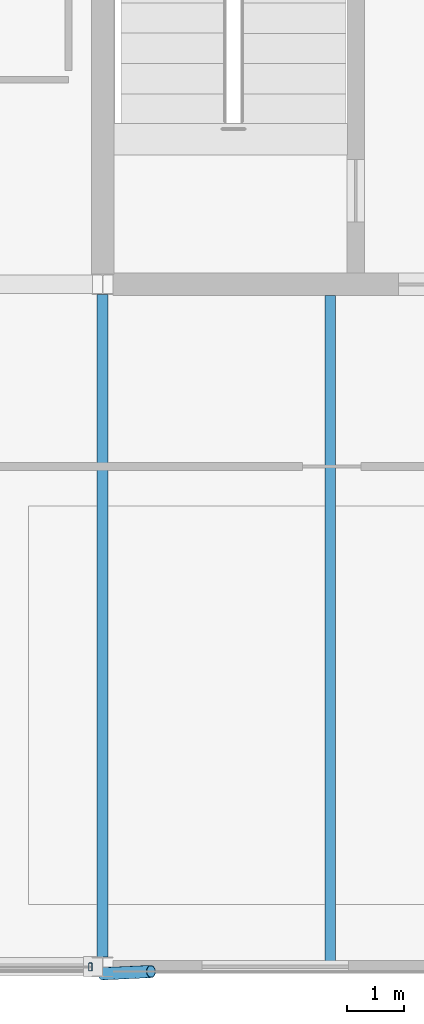
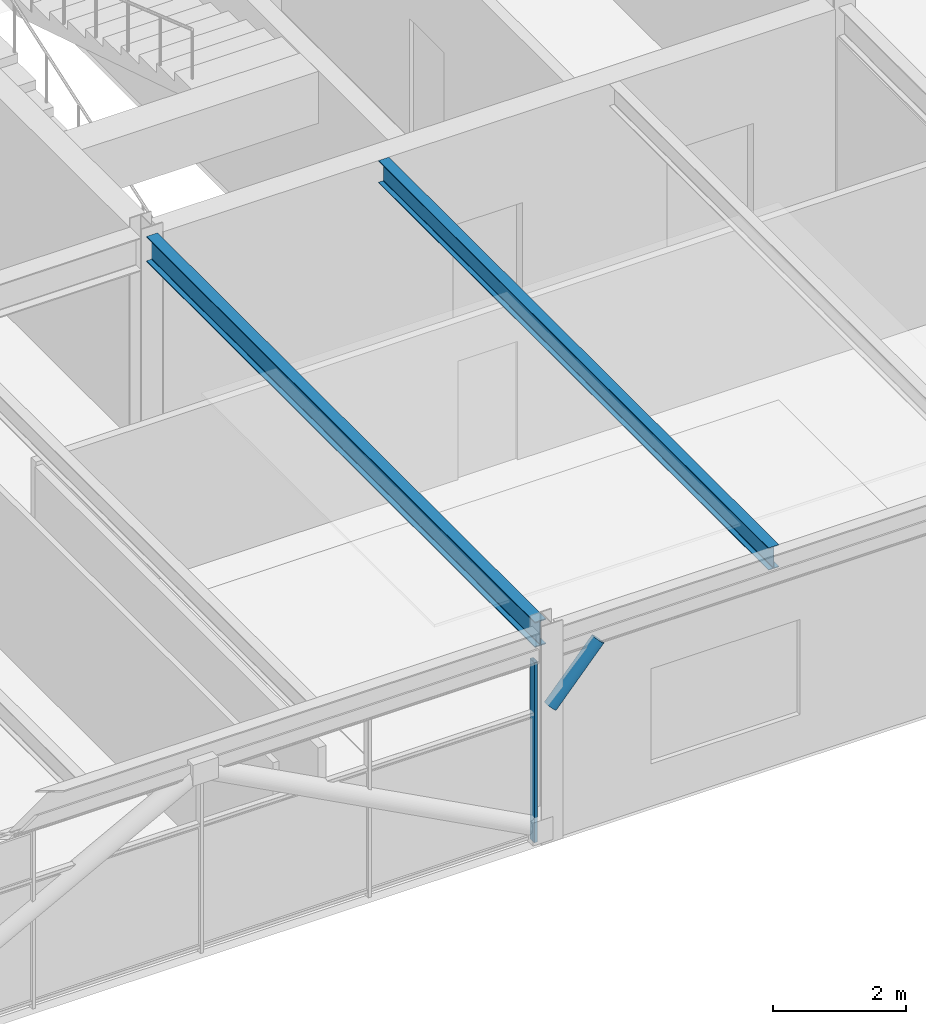
# One storey, part 23 of 32: 2 beams, 2 members, 1 element without a shape of its own.
"""IFC4 building model written with IfcOpenShell, lengths in metres."""

from ifc_helpers import new_model, si_unit, direction, frame, origin, origin_2d, place, context, subcontext, project, spatial, hollow_rectangle, hollow_circle, i_section, extrude, material, material_profile, profile_set, type_object, element, aggregate, save


model = new_model("IFC4")

# Units and contexts
model_context = context("Model", 3, precision=1e-05, world=origin(), true_north=direction((0.0, 1.0)))
body_context = subcontext(model_context, "Body", "Model", "MODEL_VIEW")
ifc_project = project(units=[si_unit("LENGTHUNIT", "METRE"), si_unit("AREAUNIT", "SQUARE_METRE"), si_unit("VOLUMEUNIT", "CUBIC_METRE"), si_unit("PLANEANGLEUNIT", "RADIAN"), si_unit("MASSUNIT", "GRAM", prefix="KILO")], contexts=[model_context])

# Site, building, storey
site_placement = place(None, origin())
site = spatial("IfcSite", under=ifc_project, at=site_placement, CompositionType="ELEMENT")
building_placement = place(site_placement, origin())
building = spatial("IfcBuilding", under=site, at=building_placement, Name="Girod Span Mobility Hub", CompositionType="ELEMENT")
storey_placement = place(building_placement, frame((0.0, 0.0, 61.60009765625)))
storey = spatial("IfcBuildingStorey", under=building, at=storey_placement, Name="L15", CompositionType="ELEMENT", Elevation=61.60009765625)

# Beams
ifc_material_1 = material(Name="Steel A992 Grade 50", Category="steel")
ifc_material_profile_1 = material_profile(ifc_material_1, i_section(OverallWidth=0.178955078125, OverallDepth=0.409912109375, WebThickness=0.0087890625, FlangeThickness=0.014404296875, FilletRadius=0.012939453125, at=origin_2d()), Name="W16X45")
ifc_profile_set_1 = profile_set([ifc_material_profile_1], Name="Steel A992 Grade 50")
beam_type_1 = type_object("IfcBeamType", Name="BM-STL-W16X45", PredefinedType="BEAM", material=ifc_profile_set_1)
beam_1_placement = place(storey_placement, frame((112.0, 45.10302734375, 3.635009765625), z_axis=(0.0, 1.0, 0.0), x_axis=(-1.0, 0.0, 0.0)))
element("IfcBeam", 1, at=beam_1_placement, inside=storey, type_object=beam_type_1, Name="Composite Floorbeam 10/D-1 L15", PredefinedType="BEAM", context=body_context, shape_type="SweptSolid", body=[
    extrude(i_section(OverallWidth=0.178955078125, OverallDepth=0.409912109375, WebThickness=0.0087890625, FlangeThickness=0.014404296875, FilletRadius=0.012939453125, at=origin_2d()), origin(), (0.0, 0.0, 1.0), 11.699951171875),
])
ifc_material_2 = material(Name="Steel A992 Grade 50", Category="steel")
ifc_material_profile_2 = material_profile(ifc_material_2, i_section(OverallWidth=0.19189453125, OverallDepth=0.462890625, WebThickness=0.010498046875, FlangeThickness=0.017578125, FilletRadius=0.013916015625, at=origin_2d()), Name="W18X60")
ifc_profile_set_2 = profile_set([ifc_material_profile_2], Name="Steel A992 Grade 50")
beam_type_2 = type_object("IfcBeamType", Name="BM-STL-W18X60", PredefinedType="BEAM", material=ifc_profile_set_2)
beam_2_placement = place(storey_placement, frame((108.0, 45.175048828125, 3.6083984375), z_axis=(0.0, 1.0, 0.0), x_axis=(-1.0, 0.0, 0.0)))
element("IfcBeam", 2, at=beam_2_placement, inside=storey, type_object=beam_type_2, Name="Tie Girder 10/D-E L15", PredefinedType="BEAM", context=body_context, shape_type="SweptSolid", body=[
    extrude(i_section(OverallWidth=0.19189453125, OverallDepth=0.462890625, WebThickness=0.010498046875, FlangeThickness=0.017578125, FilletRadius=0.013916015625, at=origin_2d()), origin(), (0.0, 0.0, 1.0), 11.64990234375),
])

# Curtain wall, member
ifc_material_3 = material(Name="Thermally Broken Anodised Aluminium", Category="aluminium")
curtain_wall_type = type_object("IfcCurtainWallType", Name="CW-1164X330", PredefinedType="USERDEFINED", material=ifc_material_3)
curtain_wall_placement = place(storey_placement, origin())
curtain_wall = element("IfcCurtainWall", 3, at=curtain_wall_placement, inside=storey, type_object=curtain_wall_type, Name="Unitised Curtain Wall CW-L15-S09 L15", ObjectType="UNITISED CURTAIN WALL", PredefinedType="USERDEFINED")
ifc_material_4 = material(Name="Thermally Broken Anodised Aluminium", Category="aluminium")
ifc_material_profile_3 = material_profile(ifc_material_4, hollow_rectangle(XDim=0.139892578125, YDim=0.06005859375, WallThickness=0.00341796875, InnerFilletRadius=0.00341796875, OuterFilletRadius=0.007080078125, at=origin_2d()), Name="CW-ML-60X140")
ifc_profile_set_3 = profile_set([ifc_material_profile_3], Name="Thermally Broken Anodised Aluminium")
member_type_1 = type_object("IfcMemberType", Name="CWM-ML-4", PredefinedType="MULLION", material=ifc_profile_set_3)
member_1_placement = place(storey_placement, frame((107.785400390625, 45.0, 0.0), z_axis=(0.0, 0.0, 1.0), x_axis=(0.0, 1.0, 0.0)))
member_1 = element("IfcMember", 4, at=member_1_placement, type_object=member_type_1, Name="Curtain Wall Mullion CW-L15-S09-M4", PredefinedType="MULLION", context=body_context, shape_type="SweptSolid", body=[
    extrude(hollow_rectangle(XDim=0.139892578125, YDim=0.06005859375, WallThickness=0.00341796875, InnerFilletRadius=0.00341796875, OuterFilletRadius=0.007080078125, at=origin_2d()), origin(), (0.0, 0.0, 1.0), 3.2958984375),
])
aggregate(curtain_wall, [member_1])

# Member
ifc_material_5 = material(Name="Steel HSS A500 Grade C", Category="steel")
ifc_material_profile_4 = material_profile(ifc_material_5, hollow_circle(Radius=0.109619140625, WallThickness=0.0087890625, at=origin_2d()), Name="HSS219X9.5")
ifc_profile_set_4 = profile_set([ifc_material_profile_4], Name="Steel HSS A500 Grade C")
member_type_2 = type_object("IfcMemberType", Name="MB-ST-HSS219", PredefinedType="STRUT", material=ifc_profile_set_4)
member_2_placement = place(storey_placement, frame((108.0, 44.8798828125, 2.449951171875), z_axis=(0.682328784125, 0.032137254623, 0.73033870719), x_axis=(-0.047047213483, 0.998892666758, 0.0)))
element("IfcMember", 5, at=member_2_placement, inside=storey, type_object=member_type_2, Name="Solar Shading Knee Strut 10 L15", PredefinedType="STRUT", context=body_context, shape_type="SweptSolid", body=[
    extrude(hollow_circle(Radius=0.109619140625, WallThickness=0.0087890625, at=origin_2d()), origin(), (0.0, 0.0, 1.0), 1.245849609375),
])

save(model, "model.ifc")
